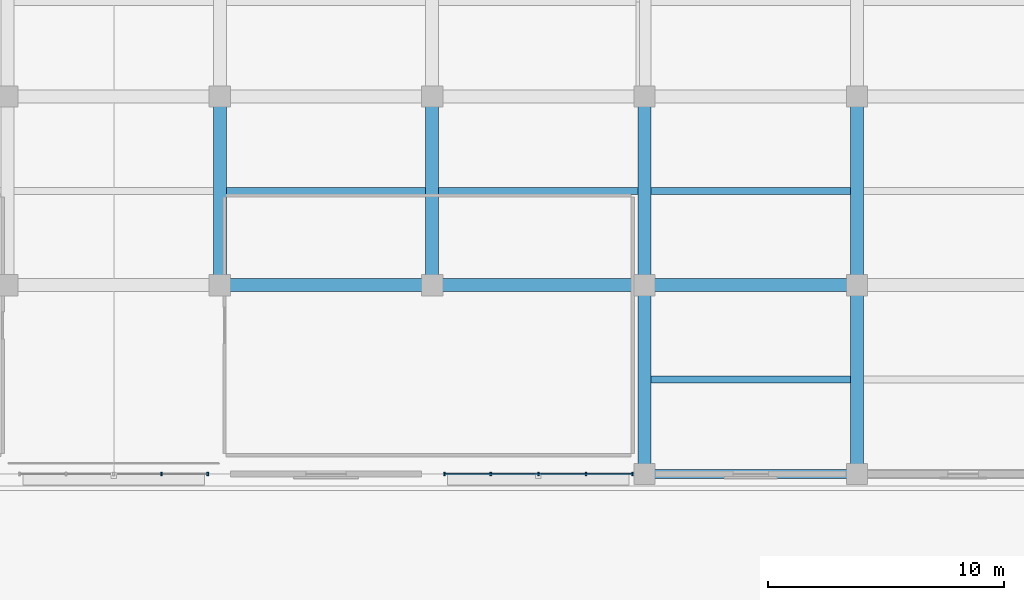
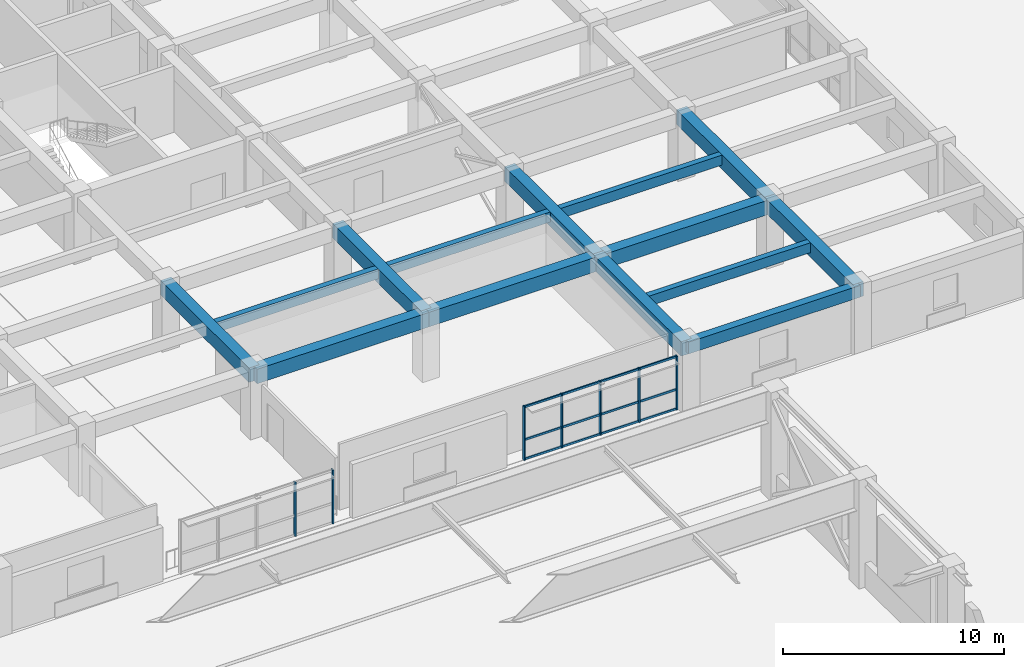
# One storey, part 7 of 34: 14 beams, 10 members, 2 elements without a shape of their own.
"""IFC4 building model written with IfcOpenShell, lengths in metres."""

import ifcopenshell
import ifcopenshell.guid

model = None  # the IFC model being written
_history = None  # IfcOwnerHistory: only IFC2X3 demands one
_inside = {}  # id of a spatial element -> (the spatial element, [elements in it])
_under = {}  # id of a project, library or spatial element -> (it, [spatial elements below it])
_declared = {}  # id of a project -> (the project, [libraries it declares])
_typed = {}  # id of a type object -> (the type object, [elements of that type])
_made_of = {}  # id of a material, layer set ... -> (it, [elements and type objects made of it])


def new_model(schema):
    """Start an empty IFC model of exactly this schema.

    Asked for "IFC4X3", IfcOpenShell would pick the latest addendum, in which some entities
    have other attributes; the version numbers below select the first issue.
    IFC2X3 requires an IfcOwnerHistory on every rooted entity: one is made here for all.
    """
    global model, _history
    if schema == "IFC4X3":
        model = ifcopenshell.file(schema_version=(4, 3, 0, 0))
    else:
        model = ifcopenshell.file(schema=schema)
    _inside.clear()
    _under.clear()
    _declared.clear()
    _typed.clear()
    _made_of.clear()
    _history = None
    if model.schema == "IFC2X3":
        org = make("IfcOrganization", Name="unknown")
        user = make(
            "IfcPersonAndOrganization",
            ThePerson=make("IfcPerson", FamilyName="unknown"),
            TheOrganization=org,
        )
        app = make(
            "IfcApplication",
            ApplicationDeveloper=org,
            Version="unknown",
            ApplicationFullName="unknown",
            ApplicationIdentifier="unknown",
        )
        _history = make(
            "IfcOwnerHistory",
            OwningUser=user,
            OwningApplication=app,
            ChangeAction="ADDED",
            CreationDate=0,
        )
    return model


def make(cls, **values):
    """One entity of the class cls with the attributes given. An attribute that is None is left unset."""
    return model.create_entity(
        cls, **{name: value for name, value in values.items() if value is not None}
    )


def rooted(cls, **values):
    """An entity with a GlobalId (a new one), such as an element, a storey or a relation."""
    return make(cls, GlobalId=ifcopenshell.guid.new(), OwnerHistory=_history, **values)


def si_unit(unit_type, name, prefix=None):
    """IfcSIUnit, for example si_unit("LENGTHUNIT", "METRE", prefix="MILLI")."""
    return make("IfcSIUnit", UnitType=unit_type, Prefix=prefix, Name=name)


def assignment(units):
    """IfcUnitAssignment: the units of a project."""
    return None if units is None else make("IfcUnitAssignment", Units=units)


def point(xyz):
    """IfcCartesianPoint."""
    return None if xyz is None else make("IfcCartesianPoint", Coordinates=xyz)


def direction(xyz):
    """IfcDirection."""
    return None if xyz is None else make("IfcDirection", DirectionRatios=xyz)


def frame(location, z_axis=None, x_axis=None):
    """IfcAxis2Placement3D, a coordinate frame: its origin and axes. An axis left out is left unset."""
    return make(
        "IfcAxis2Placement3D",
        Location=point(location),
        Axis=direction(z_axis),
        RefDirection=direction(x_axis),
    )


def frame_2d(location, x_axis=None):
    """IfcAxis2Placement2D, a coordinate frame in the plane: its origin and x axis."""
    return make(
        "IfcAxis2Placement2D", Location=point(location), RefDirection=direction(x_axis)
    )


def origin():
    """The frame at (0, 0, 0) with its axes left unset."""
    return frame((0.0, 0.0, 0.0))


def origin_2d():
    """The frame at (0, 0) in the plane with its x axis left unset."""
    return frame_2d((0.0, 0.0))


def place(relative_to, where):
    """IfcLocalPlacement: puts the frame where relative to a parent placement (None: the world)."""
    return make(
        "IfcLocalPlacement", PlacementRelTo=relative_to, RelativePlacement=where
    )


def context(
    kind, dimensions, precision=None, world=None, true_north=None, identifier=None
):
    """IfcGeometricRepresentationContext, for example the 3D "Model" context."""
    return make(
        "IfcGeometricRepresentationContext",
        ContextIdentifier=identifier,
        ContextType=kind,
        CoordinateSpaceDimension=dimensions,
        Precision=precision,
        WorldCoordinateSystem=world,
        TrueNorth=true_north,
    )


def subcontext(parent, identifier, kind, view, scale=None):
    """IfcGeometricRepresentationSubContext, for example "Body" below "Model"."""
    return make(
        "IfcGeometricRepresentationSubContext",
        ContextIdentifier=identifier,
        ContextType=kind,
        ParentContext=parent,
        TargetScale=scale,
        TargetView=view,
    )


def project(units=None, contexts=None):
    """IfcProject with its units and contexts."""
    return rooted(
        "IfcProject",
        Name="project",
        RepresentationContexts=contexts,
        UnitsInContext=assignment(units),
    )


def spatial(cls, under=None, at=None, **own):
    """A site, building, storey or space (cls), placed at a placement, below another one or the project."""
    s = rooted(cls, ObjectPlacement=at, **own)
    if under is not None:
        _under.setdefault(under.id(), (under, []))[1].append(s)
    return s


def profile(cls, at=None, kind="AREA", **sizes):
    """A parametric profile (cls). Its sizes go by their IFC names, for example OverallWidth=200.0."""
    return make(cls, ProfileType=kind, Position=at, **sizes)


def rectangle(**sizes):
    """IfcRectangleProfileDef."""
    return profile("IfcRectangleProfileDef", **sizes)


def extrude(swept, where, along, depth):
    """IfcExtrudedAreaSolid: the profile swept, set in the frame where, extruded along a direction by depth."""
    return make(
        "IfcExtrudedAreaSolid",
        SweptArea=swept,
        Position=where,
        ExtrudedDirection=direction(along),
        Depth=depth,
    )


def shape(context_of_items, identifier, shape_type, items):
    """IfcShapeRepresentation: the items that make up one representation, for example the "Body"."""
    return make(
        "IfcShapeRepresentation",
        ContextOfItems=context_of_items,
        RepresentationIdentifier=identifier,
        RepresentationType=shape_type,
        Items=items,
    )


def material(Name=None, Category=None):
    """IfcMaterial."""
    return make("IfcMaterial", Name=Name, Category=Category)


def material_profile(
    of_material, cross_section, Name=None, Category=None, Priority=None
):
    """IfcMaterialProfile: a cross section and its material."""
    return make(
        "IfcMaterialProfile",
        Name=Name,
        Material=of_material,
        Profile=cross_section,
        Priority=Priority,
        Category=Category,
    )


def profile_set(profiles, Name=None, composite=None):
    """IfcMaterialProfileSet."""
    return make(
        "IfcMaterialProfileSet",
        Name=Name,
        MaterialProfiles=profiles,
        CompositeProfile=composite,
    )


def made_of(thing, what):
    """Note that an element or type object is made of a material, layer set ...; save() writes the relation."""
    if what is not None:
        _made_of.setdefault(what.id(), (what, []))[1].append(thing)
    return thing


def type_object(cls, material=None, **own):
    """A type object (cls), such as IfcWallType, which elements share."""
    return made_of(rooted(cls, **own), material)


def element(
    cls,
    number,
    at=None,
    inside=None,
    cuts=None,
    type_object=None,
    material=None,
    context=None,
    identifier="Body",
    shape_type=None,
    held_by="IfcProductDefinitionShape",
    body=None,
    shapes=None,
    **own,
):
    """One element of the class cls, such as IfcWall. Its Tag is "e" and its number.

    at: its placement. inside: the storey or other place that contains it. cuts: it is an
    opening in that element (IfcRelVoidsElement). A single representation is given by context,
    identifier, shape_type and body (its items); several are given by shapes. held_by: the class
    of the entity that holds the representations. save() writes the other relations.
    """
    e = rooted(cls, Tag="e%d" % number, ObjectPlacement=at, **own)
    if body is not None:
        shapes = [shape(context, identifier, shape_type, body)]
    if shapes is not None:
        e.Representation = make(held_by, Representations=shapes)
    if inside is not None:
        _inside.setdefault(inside.id(), (inside, []))[1].append(e)
    if cuts is not None:
        rooted(
            "IfcRelVoidsElement", RelatingBuildingElement=cuts, RelatedOpeningElement=e
        )
    if type_object is not None:
        _typed.setdefault(type_object.id(), (type_object, []))[1].append(e)
    return made_of(e, material)


def aggregate(whole, parts):
    """IfcRelAggregates: a whole, such as a stair, and the parts it consists of."""
    return rooted("IfcRelAggregates", RelatingObject=whole, RelatedObjects=parts)


def save(model, path):
    """Write the relations noted so far, then the file.

    IfcRelAggregates (storeys below a building ...), IfcRelContainedInSpatialStructure (elements
    in a storey), IfcRelDefinesByType, IfcRelAssociatesMaterial and IfcRelDeclares: one each for
    every whole, place, type object, material and project.
    """
    for whole, parts in _under.values():
        aggregate(whole, parts)
    for where, things in _inside.values():
        rooted(
            "IfcRelContainedInSpatialStructure",
            RelatedElements=things,
            RelatingStructure=where,
        )
    for kind, things in _typed.values():
        rooted("IfcRelDefinesByType", RelatedObjects=things, RelatingType=kind)
    for what, things in _made_of.values():
        rooted("IfcRelAssociatesMaterial", RelatedObjects=things, RelatingMaterial=what)
    for by, libraries in _declared.values():
        rooted("IfcRelDeclares", RelatingContext=by, RelatedDefinitions=libraries)
    model.write(path)


model = new_model("IFC4")

# Units and contexts
model_context = context("Model", 3, precision=1e-05, world=origin(), true_north=direction((0.0, 1.0)))
body_context = subcontext(model_context, "Body", "Model", "MODEL_VIEW")
ifc_project = project(units=[si_unit("LENGTHUNIT", "METRE"), si_unit("AREAUNIT", "SQUARE_METRE"), si_unit("VOLUMEUNIT", "CUBIC_METRE"), si_unit("PLANEANGLEUNIT", "RADIAN"), si_unit("MASSUNIT", "GRAM", prefix="KILO")], contexts=[model_context])

# Site, building, storey
site_placement = place(None, origin())
site = spatial("IfcSite", under=ifc_project, at=site_placement, CompositionType="ELEMENT")
building_placement = place(site_placement, origin())
building = spatial("IfcBuilding", under=site, at=building_placement, Name="Zaverband Oceanarium and Marine Research Institute", CompositionType="ELEMENT")
storey_placement = place(building_placement, frame((0.0, 0.0, 18.0)))
storey = spatial("IfcBuildingStorey", under=building, at=storey_placement, Name="L04", CompositionType="ELEMENT", Elevation=18.0)

# Beams
ifc_material_1 = material(Name="Concrete C40/50", Category="concrete")
ifc_material_profile_1 = material_profile(ifc_material_1, rectangle(XDim=0.550048828125, YDim=0.800048828125, at=origin_2d()), Name="RC550x800")
ifc_profile_set_1 = profile_set([ifc_material_profile_1], Name="Concrete C40/50")
beam_type_1 = type_object("IfcBeamType", Name="BM-550x800", PredefinedType="BEAM", material=ifc_profile_set_1)
for number, where, z_axis, x_axis, name in (
    (1, (36.0, 72.0, 3.25), (1.0, 0.0, 0.0), (0.0, 1.0, 0.0), "Primary floor girder BM-550x800"),
    (2, (45.0, 72.0, 3.25), (1.0, 0.0, 0.0), (0.0, 1.0, 0.0), "Primary floor girder BM-550x800"),
    (3, (54.0, 72.0, 3.25), (1.0, 0.0, 0.0), (0.0, 1.0, 0.0), "Primary floor girder BM-550x800"),
):
    element("IfcBeam", number, at=place(storey_placement, frame(where, z_axis=z_axis, x_axis=x_axis)), inside=storey, type_object=beam_type_1, Name=name, PredefinedType="BEAM", context=body_context, shape_type="SweptSolid", body=[
        extrude(rectangle(XDim=0.550048828125, YDim=0.800048828125, at=origin_2d()), origin(), (0.0, 0.0, 1.0), 9.0),
    ])
for number, where, z_axis, x_axis, name in (
    (4, (36.0, 72.0, 3.25), (0.0, 1.0, 0.0), (-1.0, 0.0, 0.0), "Primary floor girder BM-550x800"),
    (5, (45.0, 72.0, 3.25), (0.0, 1.0, 0.0), (-1.0, 0.0, 0.0), "Primary floor girder BM-550x800"),
    (6, (54.0, 64.0, 3.25), (0.0, 1.0, 0.0), (-1.0, 0.0, 0.0), "Primary floor girder BM-550x800"),
    (7, (54.0, 72.0, 3.25), (0.0, 1.0, 0.0), (-1.0, 0.0, 0.0), "Primary floor girder BM-550x800"),
    (8, (63.0, 64.0, 3.25), (0.0, 1.0, 0.0), (-1.0, 0.0, 0.0), "Primary floor girder BM-550x800"),
    (9, (63.0, 72.0, 3.25), (0.0, 1.0, 0.0), (-1.0, 0.0, 0.0), "Primary floor girder BM-550x800"),
):
    element("IfcBeam", number, at=place(storey_placement, frame(where, z_axis=z_axis, x_axis=x_axis)), inside=storey, type_object=beam_type_1, Name=name, PredefinedType="BEAM", context=body_context, shape_type="SweptSolid", body=[
        extrude(rectangle(XDim=0.550048828125, YDim=0.800048828125, at=origin_2d()), origin(), (0.0, 0.0, 1.0), 8.0),
    ])
ifc_material_profile_2 = material_profile(ifc_material_1, rectangle(XDim=0.300048828125, YDim=0.550048828125, at=origin_2d()), Name="RC300x550")
ifc_profile_set_2 = profile_set([ifc_material_profile_2], Name="Concrete C40/50")
beam_type_2 = type_object("IfcBeamType", Name="JST-300x550", PredefinedType="JOIST", material=ifc_profile_set_2)
for number, where, z_axis, x_axis, name in (
    (10, (36.27490234375, 76.0, 3.375), (1.0, 0.0, 0.0), (0.0, 1.0, 0.0), "Secondary floor joist JST-300x550"),
    (11, (45.27490234375, 76.0, 3.375), (1.0, 0.0, 0.0), (0.0, 1.0, 0.0), "Secondary floor joist JST-300x550"),
    (12, (54.27490234375, 68.0, 3.375), (1.0, 0.0, 0.0), (0.0, 1.0, 0.0), "Secondary floor joist JST-300x550"),
    (13, (54.27490234375, 76.0, 3.375), (1.0, 0.0, 0.0), (0.0, 1.0, 0.0), "Secondary floor joist JST-300x550"),
):
    element("IfcBeam", number, at=place(storey_placement, frame(where, z_axis=z_axis, x_axis=x_axis)), inside=storey, type_object=beam_type_2, Name=name, PredefinedType="JOIST", context=body_context, shape_type="SweptSolid", body=[
        extrude(rectangle(XDim=0.300048828125, YDim=0.550048828125, at=origin_2d()), origin(), (0.0, 0.0, 1.0), 8.4501953125),
    ])

# Curtain wall, members
ifc_material_2 = material(Name="Thermally broken anodized aluminium and solar-control glass", Category="aluminium")
curtain_wall_type = type_object("IfcCurtainWallType", Name="CW-UNIT-1800", PredefinedType="NOTDEFINED", material=ifc_material_2)
curtain_wall_1_placement = place(storey_placement, origin())
curtain_wall_1 = element("IfcCurtainWall", 14, at=curtain_wall_1_placement, inside=storey, type_object=curtain_wall_type, Name="Unitised glazed curtain wall CW-059", PredefinedType="NOTDEFINED")
ifc_material_3 = material(Name="Thermally broken anodized aluminium", Category="aluminium")
ifc_material_profile_3 = material_profile(ifc_material_3, rectangle(XDim=0.070068359375, YDim=0.14990234375, at=origin_2d()), Name="AL-MUL-70x150")
ifc_profile_set_3 = profile_set([ifc_material_profile_3], Name="Thermally broken anodized aluminium")
member_type_1 = type_object("IfcMemberType", Name="MUL-70x150", PredefinedType="MULLION", material=ifc_profile_set_3)
member_1_placement = place(storey_placement, frame((33.5224609375, 64.0, 0.0), z_axis=(0.0, 0.0, 1.0), x_axis=(1.0, 0.0, 0.0)))
member_1 = element("IfcMember", 15, at=member_1_placement, type_object=member_type_1, Name="Curtain wall vertical mullion MUL-70x150", PredefinedType="MULLION", context=body_context, shape_type="SweptSolid", body=[
    extrude(rectangle(XDim=0.070068359375, YDim=0.14990234375, at=origin_2d()), origin(), (0.0, 0.0, 1.0), 2.97998046875),
])
member_2_placement = place(storey_placement, frame((35.485107421875, 64.0, 0.0), z_axis=(0.0, 0.0, 1.0), x_axis=(1.0, 0.0, 0.0)))
member_2 = element("IfcMember", 16, at=member_2_placement, type_object=member_type_1, Name="Curtain wall vertical mullion MUL-70x150", PredefinedType="MULLION", context=body_context, shape_type="SweptSolid", body=[
    extrude(rectangle(XDim=0.070068359375, YDim=0.14990234375, at=origin_2d()), origin(), (0.0, 0.0, 1.0), 2.97998046875),
])
aggregate(curtain_wall_1, [member_1, member_2])

curtain_wall_2_placement = place(storey_placement, origin())
curtain_wall_2 = element("IfcCurtainWall", 17, at=curtain_wall_2_placement, inside=storey, type_object=curtain_wall_type, Name="Unitised glazed curtain wall CW-060", PredefinedType="NOTDEFINED")
member_3_placement = place(storey_placement, frame((45.514892578125, 64.0, 0.0), z_axis=(0.0, 0.0, 1.0), x_axis=(1.0, 0.0, 0.0)))
member_3 = element("IfcMember", 18, at=member_3_placement, type_object=member_type_1, Name="Curtain wall vertical mullion MUL-70x150", PredefinedType="MULLION", context=body_context, shape_type="SweptSolid", body=[
    extrude(rectangle(XDim=0.070068359375, YDim=0.14990234375, at=origin_2d()), origin(), (0.0, 0.0, 1.0), 2.97998046875),
])
member_4_placement = place(storey_placement, frame((47.4775390625, 64.0, 0.0), z_axis=(0.0, 0.0, 1.0), x_axis=(1.0, 0.0, 0.0)))
member_4 = element("IfcMember", 19, at=member_4_placement, type_object=member_type_1, Name="Curtain wall vertical mullion MUL-70x150", PredefinedType="MULLION", context=body_context, shape_type="SweptSolid", body=[
    extrude(rectangle(XDim=0.070068359375, YDim=0.14990234375, at=origin_2d()), origin(), (0.0, 0.0, 1.0), 2.97998046875),
])
member_5_placement = place(storey_placement, frame((49.5, 64.0, 0.0), z_axis=(0.0, 0.0, 1.0), x_axis=(1.0, 0.0, 0.0)))
member_5 = element("IfcMember", 20, at=member_5_placement, type_object=member_type_1, Name="Curtain wall vertical mullion MUL-70x150", PredefinedType="MULLION", context=body_context, shape_type="SweptSolid", body=[
    extrude(rectangle(XDim=0.070068359375, YDim=0.14990234375, at=origin_2d()), origin(), (0.0, 0.0, 1.0), 2.97998046875),
])
member_6_placement = place(storey_placement, frame((51.5224609375, 64.0, 0.0), z_axis=(0.0, 0.0, 1.0), x_axis=(1.0, 0.0, 0.0)))
member_6 = element("IfcMember", 21, at=member_6_placement, type_object=member_type_1, Name="Curtain wall vertical mullion MUL-70x150", PredefinedType="MULLION", context=body_context, shape_type="SweptSolid", body=[
    extrude(rectangle(XDim=0.070068359375, YDim=0.14990234375, at=origin_2d()), origin(), (0.0, 0.0, 1.0), 2.97998046875),
])
member_7_placement = place(storey_placement, frame((53.485107421875, 64.0, 0.0), z_axis=(0.0, 0.0, 1.0), x_axis=(1.0, 0.0, 0.0)))
member_7 = element("IfcMember", 22, at=member_7_placement, type_object=member_type_1, Name="Curtain wall vertical mullion MUL-70x150", PredefinedType="MULLION", context=body_context, shape_type="SweptSolid", body=[
    extrude(rectangle(XDim=0.070068359375, YDim=0.14990234375, at=origin_2d()), origin(), (0.0, 0.0, 1.0), 2.97998046875),
])

# Beam
ifc_material_profile_4 = material_profile(ifc_material_1, rectangle(XDim=0.39990234375, YDim=0.64990234375, at=origin_2d()), Name="RC400x650")
ifc_profile_set_4 = profile_set([ifc_material_profile_4], Name="Concrete C40/50")
beam_type_3 = type_object("IfcBeamType", Name="SPN-400x650", PredefinedType="SPANDREL", material=ifc_profile_set_4)
beam_placement = place(storey_placement, frame((54.0, 64.0, 3.324951171875), z_axis=(1.0, 0.0, 0.0), x_axis=(0.0, 1.0, 0.0)))
element("IfcBeam", 23, at=beam_placement, inside=storey, type_object=beam_type_3, Name="Perimeter spandrel beam SPN-400x650", PredefinedType="SPANDREL", context=body_context, shape_type="SweptSolid", body=[
    extrude(rectangle(XDim=0.39990234375, YDim=0.64990234375, at=origin_2d()), origin(), (0.0, 0.0, 1.0), 9.0),
])

# Member
ifc_material_profile_5 = material_profile(ifc_material_3, rectangle(XDim=0.070068359375, YDim=0.114990234375, at=origin_2d()), Name="AL-TRN-70x115")
ifc_profile_set_5 = profile_set([ifc_material_profile_5], Name="Thermally broken anodized aluminium")
member_type_2 = type_object("IfcMemberType", Name="TRN-70x115", PredefinedType="USERDEFINED", material=ifc_profile_set_5)
member_8_placement = place(storey_placement, frame((45.514892578125, 64.0, 0.050048828125), z_axis=(1.0, 0.0, 0.0), x_axis=(0.0, 1.0, 0.0)))
member_8 = element("IfcMember", 24, at=member_8_placement, type_object=member_type_2, Name="Curtain wall horizontal transom TRN-70x115", ObjectType="TRANSOM", PredefinedType="USERDEFINED", context=body_context, shape_type="SweptSolid", body=[
    extrude(rectangle(XDim=0.070068359375, YDim=0.114990234375, at=origin_2d()), origin(), (0.0, 0.0, 1.0), 7.97021484375),
])

member_9_placement = place(storey_placement, frame((45.514892578125, 64.0, 1.123046875), z_axis=(1.0, 0.0, 0.0), x_axis=(0.0, 1.0, 0.0)))
member_9 = element("IfcMember", 25, at=member_9_placement, type_object=member_type_2, Name="Curtain wall horizontal transom TRN-70x115", ObjectType="TRANSOM", PredefinedType="USERDEFINED", context=body_context, shape_type="SweptSolid", body=[
    extrude(rectangle(XDim=0.070068359375, YDim=0.114990234375, at=origin_2d()), origin(), (0.0, 0.0, 1.0), 7.97021484375),
])

member_10_placement = place(storey_placement, frame((45.514892578125, 64.0, 2.929931640625), z_axis=(1.0, 0.0, 0.0), x_axis=(0.0, 1.0, 0.0)))
member_10 = element("IfcMember", 26, at=member_10_placement, type_object=member_type_2, Name="Curtain wall horizontal transom TRN-70x115", ObjectType="TRANSOM", PredefinedType="USERDEFINED", context=body_context, shape_type="SweptSolid", body=[
    extrude(rectangle(XDim=0.070068359375, YDim=0.114990234375, at=origin_2d()), origin(), (0.0, 0.0, 1.0), 7.97021484375),
])

aggregate(curtain_wall_2, [member_3, member_4, member_5, member_6, member_7, member_8, member_9, member_10])

save(model, "model.ifc")
